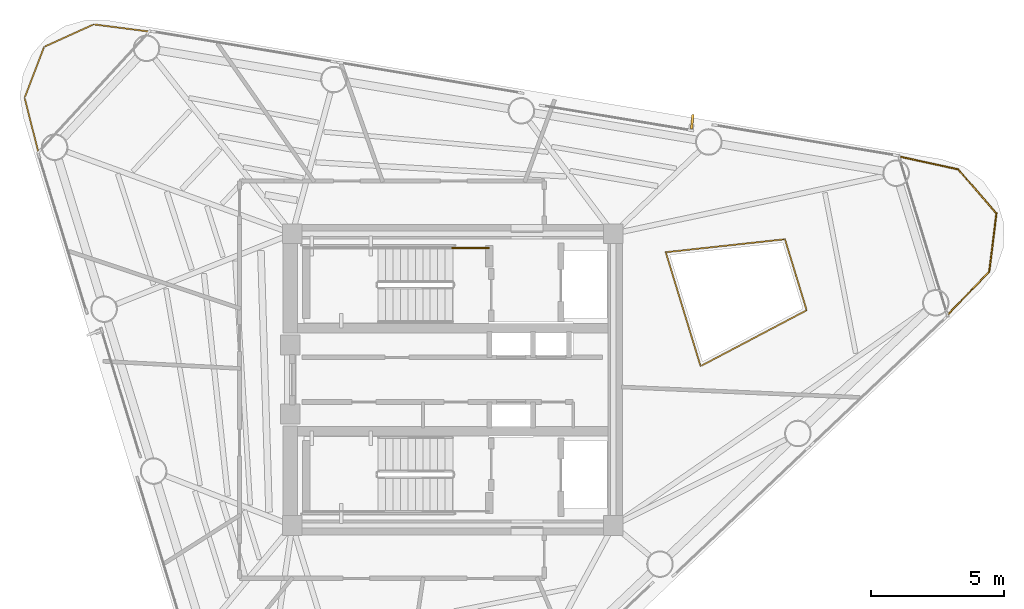
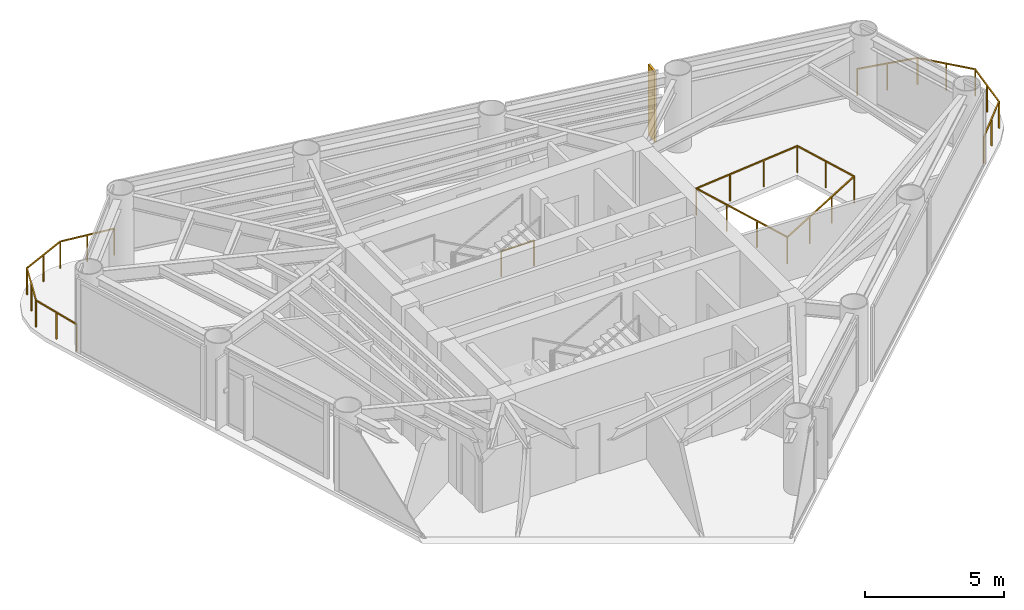
# One storey, part 8 of 8: 4 railings, 1 shading device.
"""IFC4 building model written with IfcOpenShell, lengths in metres."""

from ifc_helpers import new_model, si_unit, direction, frame, origin, origin_2d, place, context, subcontext, project, spatial, rectangle, extrude, source, transform, mapped, material, material_profile, profile_set, type_object, element, save


model = new_model("IFC4")

# Units and contexts
model_context = context("Model", 3, precision=1e-05, world=origin(), true_north=direction((0.0, 1.0)))
body_context = subcontext(model_context, "Body", "Model", "MODEL_VIEW")
ifc_project = project(units=[si_unit("LENGTHUNIT", "METRE"), si_unit("AREAUNIT", "SQUARE_METRE"), si_unit("VOLUMEUNIT", "CUBIC_METRE"), si_unit("PLANEANGLEUNIT", "RADIAN"), si_unit("MASSUNIT", "GRAM", prefix="KILO")], contexts=[model_context])

# Site, building, storey
site_placement = place(None, origin())
site = spatial("IfcSite", under=ifc_project, at=site_placement, CompositionType="ELEMENT")
building_placement = place(site_placement, origin())
building = spatial("IfcBuilding", under=site, at=building_placement, Name="Yunling Apex Tower", CompositionType="ELEMENT")
storey_placement = place(building_placement, frame((0.0, 0.0, 235.449951171875)))
storey = spatial("IfcBuildingStorey", under=building, at=storey_placement, Name="L57", CompositionType="ELEMENT", Elevation=235.449951171875)

# Railings
ifc_material_1 = material(Name="Bronze anodised aluminium", Category="aluminium")
railing_type_1 = type_object("IfcRailingType", Name="RL-BAL-1200", PredefinedType="BALUSTRADE", material=ifc_material_1)
railing_1_placement = place(storey_placement, frame((16.8173828125, 8.41064453125, 0.0)))
element("IfcRailing", 1, at=railing_1_placement, inside=storey, type_object=railing_type_1, Name="RL-CRNSILL-L57-1", PredefinedType="BALUSTRADE", context=body_context, shape_type="SweptSolid", body=[
    extrude(rectangle(XDim=0.0439453125, YDim=0.0439453125, at=origin_2d()), origin(), (0.0, 0.0, 1.0), 1.199951171875),
    extrude(rectangle(XDim=0.0439453125, YDim=0.0439453125, at=origin_2d()), frame((2.2275390625, -0.484130859375, 0.0)), (0.0, 0.0, 1.0), 1.199951171875),
    extrude(rectangle(XDim=0.050048828125, YDim=0.050048828125, at=origin_2d()), frame((0.037353515625, -0.008056640625, 1.1748046875), z_axis=(0.977186995442, -0.212380733446, 0.0), x_axis=(0.212380733446, 0.977186995442, 0.0)), (0.0, 0.0, 1.0), 2.202880859375),
    extrude(rectangle(XDim=0.0439453125, YDim=0.0439453125, at=origin_2d()), frame((1.11376953125, -0.2421875, 0.0)), (0.0, 0.0, 1.0), 1.14599609375),
    extrude(rectangle(XDim=0.0439453125, YDim=0.0439453125, at=origin_2d()), frame((3.673828125, -2.145751953125, 0.0)), (0.0, 0.0, 1.0), 1.199951171875),
    extrude(rectangle(XDim=0.050048828125, YDim=0.050048828125, at=origin_2d()), frame((2.252685546875, -0.512939453125, 1.1748046875), z_axis=(0.656540826245, -0.754290490112, 0.0), x_axis=(0.754290490112, 0.656540826245, 0.0)), (0.0, 0.0, 1.0), 2.126220703125),
    extrude(rectangle(XDim=0.0439453125, YDim=0.0439453125, at=origin_2d()), frame((2.95068359375, -1.31494140625, 0.0)), (0.0, 0.0, 1.0), 1.14599609375),
    extrude(rectangle(XDim=0.0439453125, YDim=0.0439453125, at=origin_2d()), frame((3.404052734375, -4.332275390625, 0.0)), (0.0, 0.0, 1.0), 1.199951171875),
    extrude(rectangle(XDim=0.050048828125, YDim=0.050048828125, at=origin_2d()), frame((3.669189453125, -2.183837890625, 1.1748046875), z_axis=(-0.122452455401, -0.992474380609, 0.0), x_axis=(0.992474380609, -0.122452455401, 0.0)), (0.0, 0.0, 1.0), 2.12646484375),
    extrude(rectangle(XDim=0.0439453125, YDim=0.0439453125, at=origin_2d()), frame((3.5390625, -3.239013671875, 0.0)), (0.0, 0.0, 1.0), 1.14599609375),
    extrude(rectangle(XDim=0.0439453125, YDim=0.0439453125, at=origin_2d()), frame((1.828125, -5.979248046875, 0.0)), (0.0, 0.0, 1.0), 1.199951171875),
    extrude(rectangle(XDim=0.050048828125, YDim=0.050048828125, at=origin_2d()), frame((3.37744140625, -4.35986328125, 1.1748046875), z_axis=(-0.691351518359, -0.722518565895, 0.0), x_axis=(0.722518565895, -0.691351518359, 0.0)), (0.0, 0.0, 1.0), 2.202880859375),
    extrude(rectangle(XDim=0.0439453125, YDim=0.0439453125, at=origin_2d()), frame((2.6162109375, -5.15576171875, 0.0)), (0.0, 0.0, 1.0), 1.14599609375),
])
railing_2_placement = place(storey_placement, frame((-15.61962890625, 8.571533203125, 0.0)))
element("IfcRailing", 2, at=railing_2_placement, inside=storey, type_object=railing_type_1, Name="RL-CRNSILL-L57-2", PredefinedType="BALUSTRADE", context=body_context, shape_type="SweptSolid", body=[
    extrude(rectangle(XDim=0.0439453125, YDim=0.0439453125, at=origin_2d()), origin(), (0.0, 0.0, 1.0), 1.199951171875),
    extrude(rectangle(XDim=0.0439453125, YDim=0.0439453125, at=origin_2d()), frame((-0.5185546875, 2.04931640625, 0.0)), (0.0, 0.0, 1.0), 1.199951171875),
    extrude(rectangle(XDim=0.050048828125, YDim=0.050048828125, at=origin_2d()), frame((-0.009521484375, 0.037109375, 1.1748046875), z_axis=(-0.245306459502, 0.969445584304, 0.0), x_axis=(-0.969445584304, -0.245306459502, 0.0)), (0.0, 0.0, 1.0), 2.037353515625),
    extrude(rectangle(XDim=0.0439453125, YDim=0.0439453125, at=origin_2d()), frame((-0.25927734375, 1.024658203125, 0.0)), (0.0, 0.0, 1.0), 1.14599609375),
    extrude(rectangle(XDim=0.0439453125, YDim=0.0439453125, at=origin_2d()), frame((0.216552734375, 3.970458984375, 0.0)), (0.0, 0.0, 1.0), 1.199951171875),
    extrude(rectangle(XDim=0.050048828125, YDim=0.050048828125, at=origin_2d()), frame((-0.5048828125, 2.085205078125, 1.1748046875), z_axis=(0.357371966157, 0.933962139385, 0.0), x_axis=(-0.933962139385, 0.357371966157, 0.0)), (0.0, 0.0, 1.0), 1.980224609375),
    extrude(rectangle(XDim=0.0439453125, YDim=0.0439453125, at=origin_2d()), frame((-0.15087890625, 3.009765625, 0.0)), (0.0, 0.0, 1.0), 1.14599609375),
    extrude(rectangle(XDim=0.0439453125, YDim=0.0439453125, at=origin_2d()), frame((2.083740234375, 4.817626953125, 0.0)), (0.0, 0.0, 1.0), 1.199951171875),
    extrude(rectangle(XDim=0.050048828125, YDim=0.050048828125, at=origin_2d()), frame((0.25146484375, 3.986328125, 1.1748046875), z_axis=(0.910651704015, 0.413174870938, 0.0), x_axis=(-0.413174870938, 0.910651704015, 0.0)), (0.0, 0.0, 1.0), 1.9736328125),
    extrude(rectangle(XDim=0.0439453125, YDim=0.0439453125, at=origin_2d()), frame((1.150146484375, 4.39404296875, 0.0)), (0.0, 0.0, 1.0), 1.14599609375),
    extrude(rectangle(XDim=0.0439453125, YDim=0.0439453125, at=origin_2d()), frame((4.180908203125, 4.54736328125, 0.0)), (0.0, 0.0, 1.0), 1.199951171875),
    extrude(rectangle(XDim=0.050048828125, YDim=0.050048828125, at=origin_2d()), frame((2.121826171875, 4.812744140625, 1.1748046875), z_axis=(0.99179818069, -0.127813805125, 0.0), x_axis=(0.127813805125, 0.99179818069, 0.0)), (0.0, 0.0, 1.0), 2.037841796875),
    extrude(rectangle(XDim=0.0439453125, YDim=0.0439453125, at=origin_2d()), frame((3.13232421875, 4.6826171875, 0.0)), (0.0, 0.0, 1.0), 1.14599609375),
])
railing_3_placement = place(storey_placement, frame((8.02685546875, 4.8017578125, 0.0)))
element("IfcRailing", 3, at=railing_3_placement, inside=storey, type_object=railing_type_1, Name="RL-TATR-L57", PredefinedType="BALUSTRADE", context=body_context, shape_type="SweptSolid", body=[
    extrude(rectangle(XDim=0.0439453125, YDim=0.0439453125, at=origin_2d()), origin(), (0.0, 0.0, 1.0), 1.199951171875),
    extrude(rectangle(XDim=0.0439453125, YDim=0.0439453125, at=origin_2d()), frame((4.4931640625, 0.4892578125, 0.0)), (0.0, 0.0, 1.0), 1.199951171875),
    extrude(rectangle(XDim=0.050048828125, YDim=0.050048828125, at=origin_2d()), frame((0.0380859375, 0.004150390625, 1.1748046875), z_axis=(0.994123756521, 0.108249511414, 0.0), x_axis=(-0.108249511414, 0.994123756521, 0.0)), (0.0, 0.0, 1.0), 4.443115234375),
    extrude(rectangle(XDim=0.0439453125, YDim=0.0439453125, at=origin_2d()), frame((1.497802734375, 0.1630859375, 0.0)), (0.0, 0.0, 1.0), 1.14599609375),
    extrude(rectangle(XDim=0.0439453125, YDim=0.0439453125, at=origin_2d()), frame((2.995361328125, 0.326171875, 0.0)), (0.0, 0.0, 1.0), 1.14599609375),
    extrude(rectangle(XDim=0.0439453125, YDim=0.0439453125, at=origin_2d()), frame((5.3115234375, -2.18701171875, 0.0)), (0.0, 0.0, 1.0), 1.199951171875),
    extrude(rectangle(XDim=0.050048828125, YDim=0.050048828125, at=origin_2d()), frame((4.50439453125, 0.45263671875, 1.1748046875), z_axis=(0.292417998169, -0.956290601411, 0.0), x_axis=(0.956290601411, 0.292417998169, 0.0)), (0.0, 0.0, 1.0), 2.721923828125),
    extrude(rectangle(XDim=0.0439453125, YDim=0.0439453125, at=origin_2d()), frame((4.90234375, -0.848876953125, 0.0)), (0.0, 0.0, 1.0), 1.14599609375),
    extrude(rectangle(XDim=0.0439453125, YDim=0.0439453125, at=origin_2d()), frame((1.312744140625, -4.2939453125, 0.0)), (0.0, 0.0, 1.0), 1.199951171875),
    extrude(rectangle(XDim=0.050048828125, YDim=0.050048828125, at=origin_2d()), frame((5.277587890625, -2.204833984375, 1.1748046875), z_axis=(-0.884707228161, -0.466147101717, 0.0), x_axis=(0.466147101717, -0.884707228161, 0.0)), (0.0, 0.0, 1.0), 4.443115234375),
    extrude(rectangle(XDim=0.0439453125, YDim=0.0439453125, at=origin_2d()), frame((3.978515625, -2.889404296875, 0.0)), (0.0, 0.0, 1.0), 1.14599609375),
    extrude(rectangle(XDim=0.0439453125, YDim=0.0439453125, at=origin_2d()), frame((2.645751953125, -3.591552734375, 0.0)), (0.0, 0.0, 1.0), 1.14599609375),
    extrude(rectangle(XDim=0.050048828125, YDim=0.050048828125, at=origin_2d()), frame((1.301513671875, -4.25732421875, 1.1748046875), z_axis=(-0.292362196042, 0.956307663007, 0.0), x_axis=(-0.956307663007, -0.292362196042, 0.0)), (0.0, 0.0, 1.0), 4.41357421875),
    extrude(rectangle(XDim=0.0439453125, YDim=0.0439453125, at=origin_2d()), frame((0.875244140625, -2.862548828125, 0.0)), (0.0, 0.0, 1.0), 1.14599609375),
    extrude(rectangle(XDim=0.0439453125, YDim=0.0439453125, at=origin_2d()), frame((0.4375, -1.431396484375, 0.0)), (0.0, 0.0, 1.0), 1.14599609375),
])
ifc_material_2 = material(Name="Steel Q355B", Category="steel")
railing_type_2 = type_object("IfcRailingType", Name="RL-GRD-1150", PredefinedType="GUARDRAIL", material=ifc_material_2)
railing_4_placement = place(storey_placement, frame((1.35009765625, 4.9599609375, 0.0)))
element("IfcRailing", 4, at=railing_4_placement, inside=storey, type_object=railing_type_2, Name="L57 ST-1 stair guard 6", PredefinedType="GUARDRAIL", context=body_context, shape_type="SweptSolid", body=[
    extrude(rectangle(XDim=0.0439453125, YDim=0.0439453125, at=origin_2d()), origin(), (0.0, 0.0, 1.0), 1.14990234375),
    extrude(rectangle(XDim=0.0439453125, YDim=0.0439453125, at=origin_2d()), frame((-1.360107421875, 0.0, 0.0)), (0.0, 0.0, 1.0), 1.14990234375),
    extrude(rectangle(XDim=0.050048828125, YDim=0.050048828125, at=origin_2d()), frame((-0.038330078125, 0.0, 1.125), z_axis=(-1.0, 0.0, 0.0), x_axis=(0.0, -1.0, 0.0)), (0.0, 0.0, 1.0), 1.283447265625),
])

# Shading device
ifc_material_profile = material_profile(ifc_material_1, rectangle(XDim=0.0849609375, YDim=0.550048828125, at=origin_2d()))
ifc_profile_set = profile_set([ifc_material_profile], Name="Bronze anodised aluminium")
shading_device_type = type_object("IfcShadingDeviceType", Name="FN-BRZ-3", PredefinedType="USERDEFINED", material=ifc_profile_set)
shared_shape = source(origin(), body_context, "Body", "SweptSolid", [
    extrude(rectangle(XDim=0.0849609375, YDim=0.550048828125, at=origin_2d()), origin(), (0.0, 0.0, 1.0), 3.10009765625),
])
shading_device_placement = place(storey_placement, frame((9.0244140625, 9.71435546875, 0.06005859375), z_axis=(0.0, 0.0, 1.0), x_axis=(-0.995038220239, 0.099493418189, 0.0)))
element("IfcShadingDevice", 5, at=shading_device_placement, inside=storey, type_object=shading_device_type, Name="CW-L57-F2-B2-FIN-01", ObjectType="FIN", PredefinedType="USERDEFINED", context=body_context, shape_type="MappedRepresentation", body=[
    mapped(shared_shape, transform((0.0, 0.0, 0.0), scale=1.0)),
])

save(model, "model.ifc")
